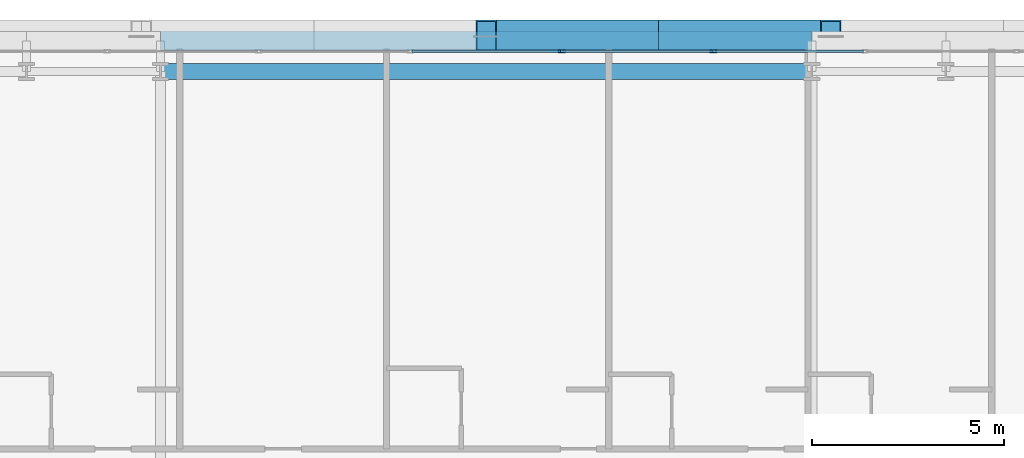
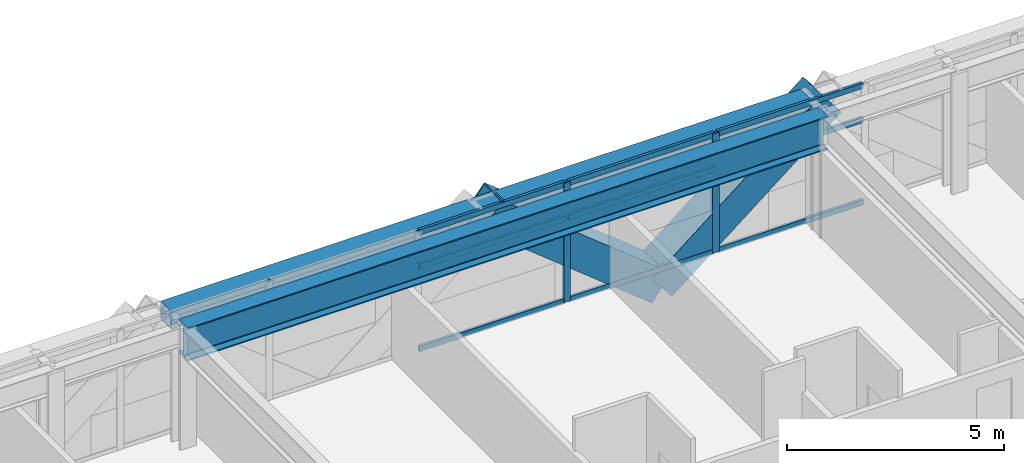
# One storey, part 19 of 38: 13 members, 2 beams, 1 element without a shape of its own.
"""IFC4 building model written with IfcOpenShell, lengths in metres."""

from ifc_helpers import new_model, si_unit, direction, frame, origin, origin_2d, place, context, subcontext, project, spatial, hollow_rectangle, i_section, extrude, source, transform, mapped, material, layer, layer_set, material_profile, profile_set, type_object, element, aggregate, save


model = new_model("IFC4")

# Units and contexts
model_context = context("Model", 3, precision=1e-05, world=origin(), true_north=direction((0.0, 1.0)))
body_context = subcontext(model_context, "Body", "Model", "MODEL_VIEW")
ifc_project = project(units=[si_unit("LENGTHUNIT", "METRE"), si_unit("AREAUNIT", "SQUARE_METRE"), si_unit("VOLUMEUNIT", "CUBIC_METRE"), si_unit("PLANEANGLEUNIT", "RADIAN"), si_unit("MASSUNIT", "GRAM", prefix="KILO")], contexts=[model_context])

# Site, building, storey
site_placement = place(None, origin())
site = spatial("IfcSite", under=ifc_project, at=site_placement, CompositionType="ELEMENT")
building_placement = place(site_placement, origin())
building = spatial("IfcBuilding", under=site, at=building_placement, Name="Ocotamira Hotel", CompositionType="ELEMENT")
storey_placement = place(building_placement, frame((0.0, 0.0, 74.39990234375)))
storey = spatial("IfcBuildingStorey", under=building, at=storey_placement, Name="L18", CompositionType="ELEMENT", Elevation=74.39990234375)

# Beams
ifc_material_1 = material(Name="Steel ASTM A992 Grade 50", Category="steel")
ifc_material_profile_1 = material_profile(ifc_material_1, i_section(OverallWidth=0.41796875, OverallDepth=0.927001953125, WebThickness=0.019287109375, FlangeThickness=0.031982421875, FilletRadius=0.02392578125, at=origin_2d()), Name="W36X231")
ifc_profile_set_1 = profile_set([ifc_material_profile_1], Name="Steel ASTM A992 Grade 50")
beam_type_1 = type_object("IfcBeamType", Name="BM-GIRD-W36X231", PredefinedType="BEAM", material=ifc_profile_set_1)
shared_shape_1 = source(origin(), body_context, "Body", "SweptSolid", [
    extrude(i_section(OverallWidth=0.41796875, OverallDepth=0.927001953125, WebThickness=0.019287109375, FlangeThickness=0.031982421875, FilletRadius=0.02392578125, at=origin_2d()), origin(), (0.0, 0.0, 1.0), 17.0),
])
beam_1_placement = place(storey_placement, frame((23.5, 49.050048828125, 2.88671875), z_axis=(1.0, 0.0, 0.0), x_axis=(0.0, 1.0, 0.0)))
element("IfcBeam", 1, at=beam_1_placement, inside=storey, type_object=beam_type_1, Name="L18 Girder Y49.05 X23.5-40.5", PredefinedType="BEAM", context=body_context, shape_type="MappedRepresentation", body=[
    mapped(shared_shape_1, transform((0.0, 0.0, 0.0), scale=1.0)),
])
ifc_material_2 = material(Name="Steel ASTM A500 Grade C", Category="steel")
ifc_material_profile_2 = material_profile(ifc_material_2, hollow_rectangle(XDim=0.5, YDim=0.5, WallThickness=0.02001953125, at=origin_2d()), Name="HSS500X500X20")
ifc_profile_set_2 = profile_set([ifc_material_profile_2], Name="Steel ASTM A500 Grade C")
beam_type_2 = type_object("IfcBeamType", Name="BM-SPAN-HSS500", PredefinedType="USERDEFINED", material=ifc_profile_set_2)
shared_shape_2 = source(origin(), body_context, "Body", "SweptSolid", [
    extrude(hollow_rectangle(XDim=0.5, YDim=0.5, WallThickness=0.02001953125, at=origin_2d()), origin(), (0.0, 0.0, 1.0), 17.0),
])
beam_2_placement = place(storey_placement, frame((23.5, 49.85009765625, 3.10009765625), z_axis=(1.0, 0.0, 0.0), x_axis=(0.0, 1.0, 0.0)))
element("IfcBeam", 2, at=beam_2_placement, inside=storey, type_object=beam_type_2, Name="L18 Edge Spandrel N X23.5-40.5", ObjectType="SPANDREL", PredefinedType="USERDEFINED", context=body_context, shape_type="MappedRepresentation", body=[
    mapped(shared_shape_2, transform((0.0, 0.0, 0.0), scale=1.0)),
])

# Members
ifc_material_3 = material(Name="Pale-metal coated steel ASTM A913 Grade 65", Category="steel")
ifc_material_profile_3 = material_profile(ifc_material_3, hollow_rectangle(XDim=0.85009765625, YDim=0.85009765625, WallThickness=0.035888671875, at=origin_2d()), Name="BOX850X850X36")
ifc_profile_set_3 = profile_set([ifc_material_profile_3], Name="Pale-metal coated steel ASTM A913 Grade 65")
member_type_1 = type_object("IfcMemberType", Name="MEM-EXO-BOX850", PredefinedType="BRACE", material=ifc_profile_set_3)
shared_shape_3 = source(origin(), body_context, "Body", "SweptSolid", [
    extrude(hollow_rectangle(XDim=0.85009765625, YDim=0.85009765625, WallThickness=0.035888671875, at=origin_2d()), origin(), (0.0, 0.0, 1.0), 5.762939453125),
])
for number, where, z_axis, x_axis, name in (
    (3, (36.5, 49.969970703125, -0.5), (-0.780860543151, 0.0, 0.624705380279), (0.0, -1.0, 0.0), "L18 Exoskeleton Diagrid N2.1"),
    (4, (36.5, 49.969970703125, -0.5), (0.780860543151, 0.0, 0.624705380279), (0.0, 1.0, 0.0), "L18 Exoskeleton Diagrid N2.2"),
):
    element("IfcMember", number, at=place(storey_placement, frame(where, z_axis=z_axis, x_axis=x_axis)), inside=storey, type_object=member_type_1, Name=name, PredefinedType="BRACE", context=body_context, shape_type="MappedRepresentation", body=[
        mapped(shared_shape_3, transform((0.0, 0.0, 0.0), scale=1.0)),
    ])

# Curtain wall, members
ifc_material_4 = material(Name="Anodised pale-metal aluminium and solar glass", Category="aluminium")
ifc_layer = layer(ifc_material_4, 0.179931640625)
ifc_layer_set = layer_set([ifc_layer], Name="Anodised pale-metal aluminium and solar glass")
curtain_wall_type = type_object("IfcCurtainWallType", Name="CW-SYS2-Z1", PredefinedType="NOTDEFINED", material=ifc_layer_set)
curtain_wall_placement = place(storey_placement, origin())
curtain_wall = element("IfcCurtainWall", 5, at=curtain_wall_placement, inside=storey, type_object=curtain_wall_type, Name="L18 Curtain Wall CW-2 CW-L18-N", PredefinedType="NOTDEFINED")
ifc_material_5 = material(Name="Anodised pale-metal aluminium 6063-T6", Category="aluminium")
ifc_material_profile_4 = material_profile(ifc_material_5, hollow_rectangle(XDim=0.074951171875, YDim=0.14990234375, WallThickness=0.006103515625, at=origin_2d()), Name="HSS150X75X6")
ifc_profile_set_4 = profile_set([ifc_material_profile_4], Name="Anodised pale-metal aluminium 6063-T6")
member_type_2 = type_object("IfcMemberType", Name="CWT-150X75", PredefinedType="USERDEFINED", material=ifc_profile_set_4)
shared_shape_4 = source(origin(), body_context, "Body", "SweptSolid", [
    extrude(hollow_rectangle(XDim=0.074951171875, YDim=0.14990234375, WallThickness=0.006103515625, at=origin_2d()), origin(), (0.0, 0.0, 1.0), 3.87548828125),
])
member_1_placement = place(storey_placement, frame((30.062255859375, 49.580078125, 0.03759765625), z_axis=(1.0, 0.0, 0.0), x_axis=(0.0, 1.0, 0.0)))
member_1 = element("IfcMember", 6, at=member_1_placement, type_object=member_type_2, Name="CW-2 transom 5.1", ObjectType="TRANSOM", PredefinedType="USERDEFINED", context=body_context, shape_type="MappedRepresentation", body=[
    mapped(shared_shape_4, transform((0.0, 0.0, 0.0), scale=1.0)),
])
member_2_placement = place(storey_placement, frame((30.062255859375, 49.580078125, 2.35009765625), z_axis=(1.0, 0.0, 0.0), x_axis=(0.0, 1.0, 0.0)))
member_2 = element("IfcMember", 7, at=member_2_placement, type_object=member_type_2, Name="CW-2 transom 5.2", ObjectType="TRANSOM", PredefinedType="USERDEFINED", context=body_context, shape_type="MappedRepresentation", body=[
    mapped(shared_shape_4, transform((0.0, 0.0, 0.0), scale=1.0)),
])
member_3_placement = place(storey_placement, frame((30.062255859375, 49.580078125, 3.3125), z_axis=(1.0, 0.0, 0.0), x_axis=(0.0, 1.0, 0.0)))
member_3 = element("IfcMember", 8, at=member_3_placement, type_object=member_type_2, Name="CW-2 transom 5.3", ObjectType="TRANSOM", PredefinedType="USERDEFINED", context=body_context, shape_type="MappedRepresentation", body=[
    mapped(shared_shape_4, transform((0.0, 0.0, 0.0), scale=1.0)),
])
member_4_placement = place(storey_placement, frame((34.017822265625, 49.580078125, 0.03759765625), z_axis=(1.0, 0.0, 0.0), x_axis=(0.0, 1.0, 0.0)))
member_4 = element("IfcMember", 9, at=member_4_placement, type_object=member_type_2, Name="CW-2 transom 6.1", ObjectType="TRANSOM", PredefinedType="USERDEFINED", context=body_context, shape_type="MappedRepresentation", body=[
    mapped(shared_shape_4, transform((0.0, 0.0, 0.0), scale=1.0)),
])
member_5_placement = place(storey_placement, frame((34.017822265625, 49.580078125, 2.35009765625), z_axis=(1.0, 0.0, 0.0), x_axis=(0.0, 1.0, 0.0)))
member_5 = element("IfcMember", 10, at=member_5_placement, type_object=member_type_2, Name="CW-2 transom 6.2", ObjectType="TRANSOM", PredefinedType="USERDEFINED", context=body_context, shape_type="MappedRepresentation", body=[
    mapped(shared_shape_4, transform((0.0, 0.0, 0.0), scale=1.0)),
])
member_6_placement = place(storey_placement, frame((34.017822265625, 49.580078125, 3.3125), z_axis=(1.0, 0.0, 0.0), x_axis=(0.0, 1.0, 0.0)))
member_6 = element("IfcMember", 11, at=member_6_placement, type_object=member_type_2, Name="CW-2 transom 6.3", ObjectType="TRANSOM", PredefinedType="USERDEFINED", context=body_context, shape_type="MappedRepresentation", body=[
    mapped(shared_shape_4, transform((0.0, 0.0, 0.0), scale=1.0)),
])
member_7_placement = place(storey_placement, frame((37.973388671875, 49.580078125, 0.03759765625), z_axis=(1.0, 0.0, 0.0), x_axis=(0.0, 1.0, 0.0)))
member_7 = element("IfcMember", 12, at=member_7_placement, type_object=member_type_2, Name="CW-2 transom 7.1", ObjectType="TRANSOM", PredefinedType="USERDEFINED", context=body_context, shape_type="MappedRepresentation", body=[
    mapped(shared_shape_4, transform((0.0, 0.0, 0.0), scale=1.0)),
])
member_8_placement = place(storey_placement, frame((37.973388671875, 49.580078125, 2.35009765625), z_axis=(1.0, 0.0, 0.0), x_axis=(0.0, 1.0, 0.0)))
member_8 = element("IfcMember", 13, at=member_8_placement, type_object=member_type_2, Name="CW-2 transom 7.2", ObjectType="TRANSOM", PredefinedType="USERDEFINED", context=body_context, shape_type="MappedRepresentation", body=[
    mapped(shared_shape_4, transform((0.0, 0.0, 0.0), scale=1.0)),
])
member_9_placement = place(storey_placement, frame((37.973388671875, 49.580078125, 3.3125), z_axis=(1.0, 0.0, 0.0), x_axis=(0.0, 1.0, 0.0)))
member_9 = element("IfcMember", 14, at=member_9_placement, type_object=member_type_2, Name="CW-2 transom 7.3", ObjectType="TRANSOM", PredefinedType="USERDEFINED", context=body_context, shape_type="MappedRepresentation", body=[
    mapped(shared_shape_4, transform((0.0, 0.0, 0.0), scale=1.0)),
])
ifc_material_profile_5 = material_profile(ifc_material_5, hollow_rectangle(XDim=0.080078125, YDim=0.179931640625, WallThickness=0.006103515625, at=origin_2d()), Name="HSS180X80X6")
ifc_profile_set_5 = profile_set([ifc_material_profile_5], Name="Anodised pale-metal aluminium 6063-T6")
member_type_3 = type_object("IfcMemberType", Name="CWM-180X75", PredefinedType="MULLION", material=ifc_profile_set_5)
shared_shape_5 = source(origin(), body_context, "Body", "SweptSolid", [
    extrude(hollow_rectangle(XDim=0.080078125, YDim=0.179931640625, WallThickness=0.006103515625, at=origin_2d()), origin(), (0.0, 0.0, 1.0), 3.35009765625),
])
member_10_placement = place(storey_placement, frame((33.977783203125, 49.580078125, 0.0), z_axis=(0.0, 0.0, 1.0), x_axis=(0.0, 1.0, 0.0)))
member_10 = element("IfcMember", 15, at=member_10_placement, type_object=member_type_3, Name="CW-2 mullion 6", PredefinedType="MULLION", context=body_context, shape_type="MappedRepresentation", body=[
    mapped(shared_shape_5, transform((0.0, 0.0, 0.0), scale=1.0)),
])
member_11_placement = place(storey_placement, frame((37.933349609375, 49.580078125, 0.0), z_axis=(0.0, 0.0, 1.0), x_axis=(0.0, 1.0, 0.0)))
member_11 = element("IfcMember", 16, at=member_11_placement, type_object=member_type_3, Name="CW-2 mullion 7", PredefinedType="MULLION", context=body_context, shape_type="MappedRepresentation", body=[
    mapped(shared_shape_5, transform((0.0, 0.0, 0.0), scale=1.0)),
])
aggregate(curtain_wall, [member_10, member_11, member_1, member_2, member_3, member_4, member_5, member_6, member_7, member_8, member_9])

save(model, "model.ifc")
